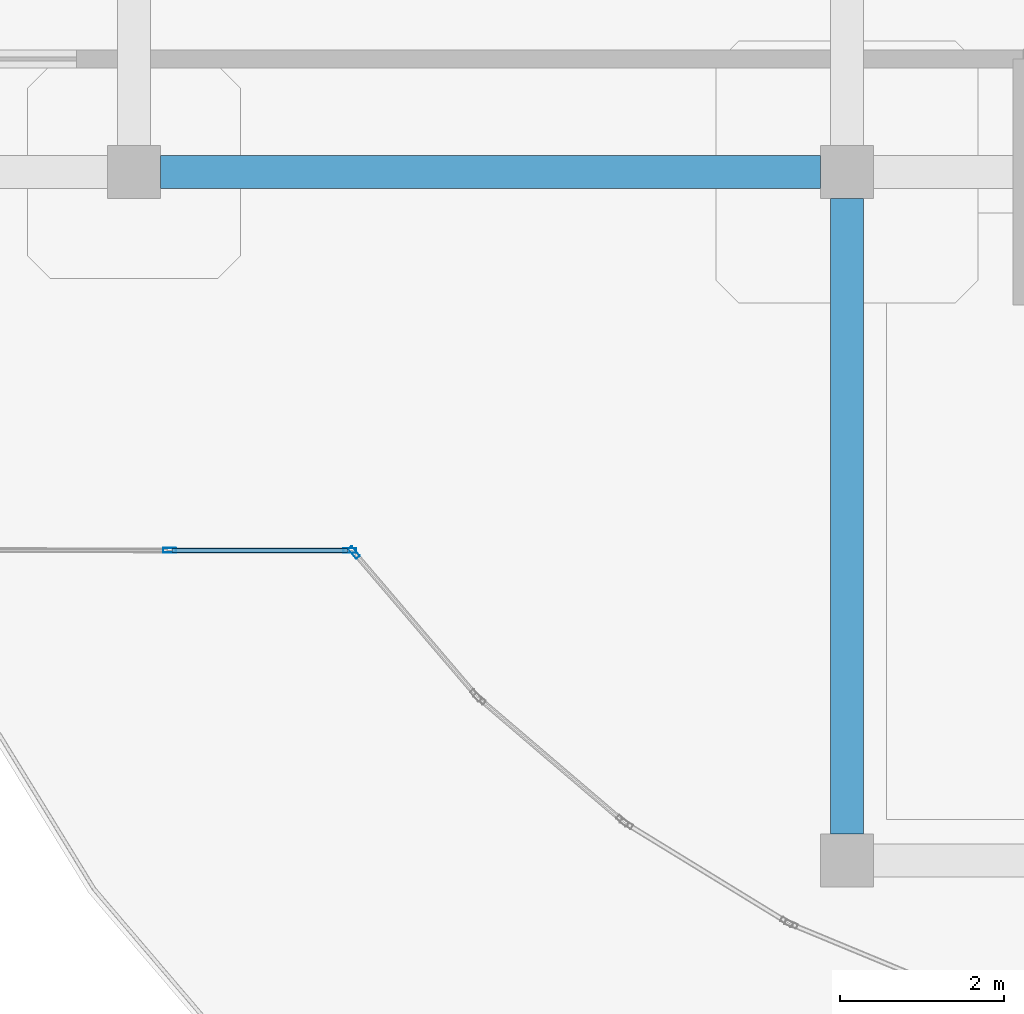
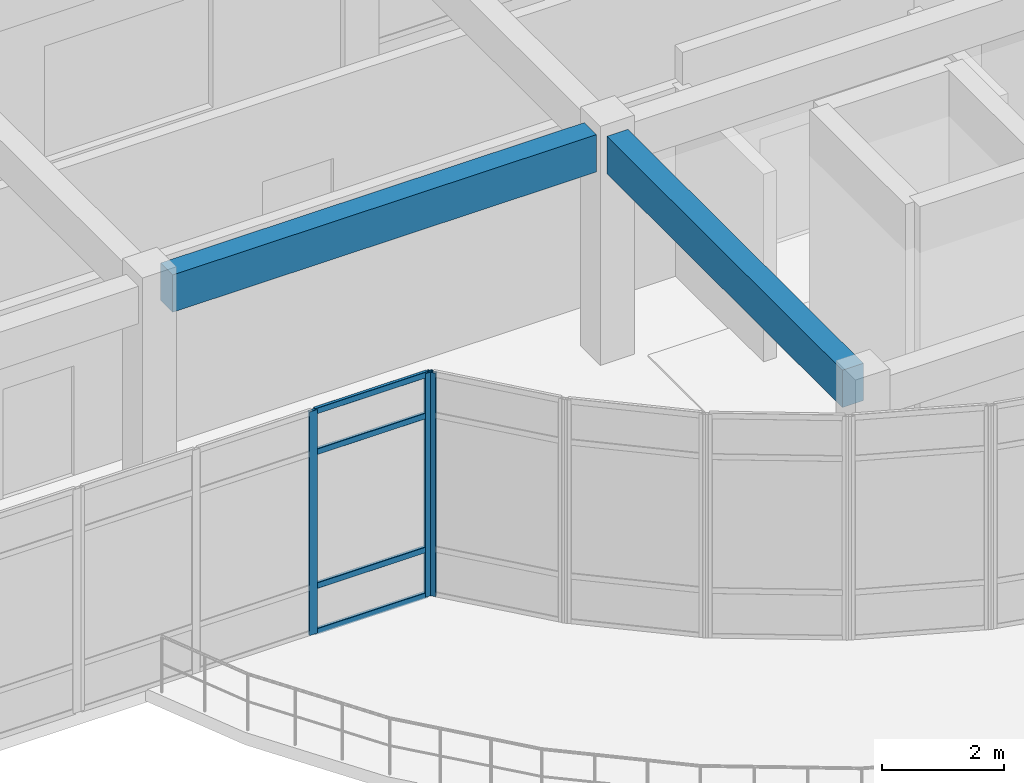
# One storey, part 7 of 41: 7 members, 2 beams, 2 elements without a shape of their own.
"""IFC4 building model written with IfcOpenShell, lengths in metres."""

from ifc_helpers import new_model, si_unit, derived_unit, direction, frame, origin, origin_2d, place, context, subcontext, project, spatial, rectangle, hollow_rectangle, extrude, material, layer, layer_set, material_profile, profile_set, type_object, element, aggregate, save


model = new_model("IFC4")

# Units and contexts
model_context = context("Model", 3, precision=1e-05, world=origin(), true_north=direction((0.0, 1.0)))
body_context = subcontext(model_context, "Body", "Model", "MODEL_VIEW")
ifc_project = project(units=[si_unit("LENGTHUNIT", "METRE"), si_unit("AREAUNIT", "SQUARE_METRE"), si_unit("VOLUMEUNIT", "CUBIC_METRE"), si_unit("PLANEANGLEUNIT", "RADIAN"), si_unit("MASSUNIT", "GRAM", prefix="KILO"), derived_unit("THERMALTRANSMITTANCEUNIT", [(si_unit("MASSUNIT", "GRAM", prefix="KILO"), 1), (si_unit("TIMEUNIT", "SECOND"), -3), (si_unit("THERMODYNAMICTEMPERATUREUNIT", "KELVIN"), -1)])], contexts=[model_context])

# Site, building, storey
site_placement = place(None, origin())
site = spatial("IfcSite", under=ifc_project, at=site_placement, CompositionType="ELEMENT")
building_placement = place(site_placement, origin())
building = spatial("IfcBuilding", under=site, at=building_placement, Name="Qinzheling Arcade Emporium", CompositionType="ELEMENT")
storey_placement = place(building_placement, frame((0.0, 0.0, 36.300048828125)))
storey = spatial("IfcBuildingStorey", under=building, at=storey_placement, Name="L08", CompositionType="ELEMENT", Elevation=36.300048828125)

# Curtain wall, member
ifc_material_1 = material(Name="Anodised aluminium and solar-control double glazing", Category="aluminium")
ifc_layer_1 = layer(ifc_material_1, 0.159912109375, Name="Anodised aluminium and solar-control double glazing", Category="aluminium")
ifc_layer_set_1 = layer_set([ifc_layer_1], Name="Anodised aluminium and solar-control double glazing")
curtain_wall_type_1 = type_object("IfcCurtainWallType", Name="Curved Ribbon Sales Curtain Wall", PredefinedType="NOTDEFINED", material=ifc_layer_set_1)
curtain_wall_1_placement = place(storey_placement, origin())
curtain_wall_1 = element("IfcCurtainWall", 1, at=curtain_wall_1_placement, inside=storey, type_object=curtain_wall_type_1, Name="Curtain Wall CW-L08-458", PredefinedType="NOTDEFINED")
ifc_material_2 = material(Name="Anodised aluminium 6063-T6", Category="aluminium")
ifc_material_profile_1 = material_profile(ifc_material_2, hollow_rectangle(XDim=0.06005859375, YDim=0.159912109375, WallThickness=0.00390625, InnerFilletRadius=0.00390625, OuterFilletRadius=0.008056640625, at=origin_2d()), Name="RHS 160x60x4", Category="aluminium")
ifc_profile_set_1 = profile_set([ifc_material_profile_1], Name="Anodised aluminium 6063-T6")
member_type_1 = type_object("IfcMemberType", Name="Curtain Wall Mullion RHS160x60", PredefinedType="MULLION", material=ifc_profile_set_1)
member_1_placement = place(storey_placement, frame((20.08447265625, 28.960205078125, 0.0), z_axis=(0.0, 0.0, 1.0), x_axis=(-0.760574737185, -0.649250390185, 0.0)))
member_1 = element("IfcMember", 2, at=member_1_placement, type_object=member_type_1, Name="CW02 mullion 2", PredefinedType="MULLION", context=body_context, shape_type="SweptSolid", body=[
    extrude(hollow_rectangle(XDim=0.06005859375, YDim=0.159912109375, WallThickness=0.00390625, InnerFilletRadius=0.00390625, OuterFilletRadius=0.008056640625, at=origin_2d()), origin(), (0.0, 0.0, 1.0), 4.489990234375),
])
aggregate(curtain_wall_1, [member_1])

# Curtain wall, members
ifc_layer_2 = layer(ifc_material_1, 0.159912109375, Name="Anodised aluminium and solar-control double glazing", Category="aluminium")
ifc_layer_set_2 = layer_set([ifc_layer_2], Name="Anodised aluminium and solar-control double glazing")
curtain_wall_type_2 = type_object("IfcCurtainWallType", Name="Arcade Portal Glazed Curtain Wall", PredefinedType="NOTDEFINED", material=ifc_layer_set_2)
curtain_wall_2_placement = place(storey_placement, origin())
curtain_wall_2 = element("IfcCurtainWall", 3, at=curtain_wall_2_placement, inside=storey, type_object=curtain_wall_type_2, Name="Curtain Wall CW-L08-459", PredefinedType="NOTDEFINED")
member_2_placement = place(storey_placement, frame((20.034912109375, 28.98291015625, 0.0), z_axis=(0.0, 0.0, 1.0), x_axis=(-0.000897397182, -0.999999597339, 0.0)))
member_2 = element("IfcMember", 4, at=member_2_placement, type_object=member_type_1, Name="CW05 mullion 1", PredefinedType="MULLION", context=body_context, shape_type="SweptSolid", body=[
    extrude(hollow_rectangle(XDim=0.06005859375, YDim=0.159912109375, WallThickness=0.00390625, InnerFilletRadius=0.00390625, OuterFilletRadius=0.008056640625, at=origin_2d()), origin(), (0.0, 0.0, 1.0), 4.489990234375),
])
member_3_placement = place(storey_placement, frame((17.83642578125, 28.985107421875, 0.0), z_axis=(0.0, 0.0, 1.0), x_axis=(-0.000897397182, -0.999999597339, 0.0)))
member_3 = element("IfcMember", 5, at=member_3_placement, type_object=member_type_1, Name="CW05 mullion 2", PredefinedType="MULLION", context=body_context, shape_type="SweptSolid", body=[
    extrude(hollow_rectangle(XDim=0.06005859375, YDim=0.159912109375, WallThickness=0.00390625, InnerFilletRadius=0.00390625, OuterFilletRadius=0.008056640625, at=origin_2d()), origin(), (0.0, 0.0, 1.0), 4.489990234375),
])
ifc_material_profile_2 = material_profile(ifc_material_2, hollow_rectangle(XDim=0.06005859375, YDim=0.1201171875, WallThickness=0.00390625, InnerFilletRadius=0.00390625, OuterFilletRadius=0.008056640625, at=origin_2d()), Name="RHS 120x60x4", Category="aluminium")
ifc_profile_set_2 = profile_set([ifc_material_profile_2], Name="Anodised aluminium 6063-T6")
member_type_2 = type_object("IfcMemberType", Name="Curtain Wall Transom RHS120x60", PredefinedType="USERDEFINED", material=ifc_profile_set_2)
member_4_placement = place(storey_placement, frame((20.0048828125, 28.983154296875, 0.030029296875), z_axis=(-0.999999680657, 0.000799177733, 0.0), x_axis=(-0.000799177733, -0.999999680657, 0.0)))
member_4 = element("IfcMember", 6, at=member_4_placement, type_object=member_type_2, Name="CW05 transom 1.1", ObjectType="TRANSOM", PredefinedType="USERDEFINED", context=body_context, shape_type="SweptSolid", body=[
    extrude(hollow_rectangle(XDim=0.06005859375, YDim=0.1201171875, WallThickness=0.00390625, InnerFilletRadius=0.00390625, OuterFilletRadius=0.008056640625, at=origin_2d()), origin(), (0.0, 0.0, 1.0), 2.138427734375),
])
member_5_placement = place(storey_placement, frame((20.0048828125, 28.983154296875, 0.949951171875), z_axis=(-0.999999680657, 0.000799177733, 0.0), x_axis=(-0.000799177733, -0.999999680657, 0.0)))
member_5 = element("IfcMember", 7, at=member_5_placement, type_object=member_type_2, Name="CW05 transom 1.2", ObjectType="TRANSOM", PredefinedType="USERDEFINED", context=body_context, shape_type="SweptSolid", body=[
    extrude(hollow_rectangle(XDim=0.06005859375, YDim=0.1201171875, WallThickness=0.00390625, InnerFilletRadius=0.00390625, OuterFilletRadius=0.008056640625, at=origin_2d()), origin(), (0.0, 0.0, 1.0), 2.138427734375),
])
member_6_placement = place(storey_placement, frame((20.0048828125, 28.983154296875, 3.639892578125), z_axis=(-0.999999680657, 0.000799177733, 0.0), x_axis=(-0.000799177733, -0.999999680657, 0.0)))
member_6 = element("IfcMember", 8, at=member_6_placement, type_object=member_type_2, Name="CW05 transom 1.3", ObjectType="TRANSOM", PredefinedType="USERDEFINED", context=body_context, shape_type="SweptSolid", body=[
    extrude(hollow_rectangle(XDim=0.06005859375, YDim=0.1201171875, WallThickness=0.00390625, InnerFilletRadius=0.00390625, OuterFilletRadius=0.008056640625, at=origin_2d()), origin(), (0.0, 0.0, 1.0), 2.138427734375),
])
member_7_placement = place(storey_placement, frame((20.0048828125, 28.983154296875, 4.4599609375), z_axis=(-0.999999680657, 0.000799177733, 0.0), x_axis=(-0.000799177733, -0.999999680657, 0.0)))
member_7 = element("IfcMember", 9, at=member_7_placement, type_object=member_type_2, Name="CW05 transom 1.4", ObjectType="TRANSOM", PredefinedType="USERDEFINED", context=body_context, shape_type="SweptSolid", body=[
    extrude(hollow_rectangle(XDim=0.06005859375, YDim=0.1201171875, WallThickness=0.00390625, InnerFilletRadius=0.00390625, OuterFilletRadius=0.008056640625, at=origin_2d()), origin(), (0.0, 0.0, 1.0), 2.138427734375),
])
aggregate(curtain_wall_2, [member_2, member_3, member_4, member_5, member_6, member_7])

# Beams
ifc_material_3 = material(Name="Concrete C40", Category="concrete")
ifc_material_profile_3 = material_profile(ifc_material_3, rectangle(XDim=0.39990234375, YDim=0.75, at=origin_2d()), Name="RC 400x750", Category="concrete")
ifc_profile_set_3 = profile_set([ifc_material_profile_3], Name="Concrete C40")
beam_type = type_object("IfcBeamType", Name="RC Interior Tie Beam 400x750 C40", PredefinedType="BEAM", material=ifc_profile_set_3)
beam_1_placement = place(storey_placement, frame((17.72509765625, 33.60009765625, 4.18505859375), z_axis=(1.0, 0.0, 0.0), x_axis=(0.0, 1.0, 0.0)))
element("IfcBeam", 10, at=beam_1_placement, inside=storey, type_object=beam_type, Name="Beam BM-L08-X-E-3", PredefinedType="BEAM", context=body_context, shape_type="SweptSolid", body=[
    extrude(rectangle(XDim=0.39990234375, YDim=0.75, at=origin_2d()), origin(), (0.0, 0.0, 1.0), 8.0498046875),
])
beam_2_placement = place(storey_placement, frame((26.10009765625, 25.52490234375, 4.18505859375), z_axis=(0.0, 1.0, 0.0), x_axis=(-1.0, 0.0, 0.0)))
element("IfcBeam", 11, at=beam_2_placement, inside=storey, type_object=beam_type, Name="Beam BM-L08-Y-4-D", PredefinedType="BEAM", context=body_context, shape_type="SweptSolid", body=[
    extrude(rectangle(XDim=0.39990234375, YDim=0.75, at=origin_2d()), origin(), (0.0, 0.0, 1.0), 7.75),
])

save(model, "model.ifc")
